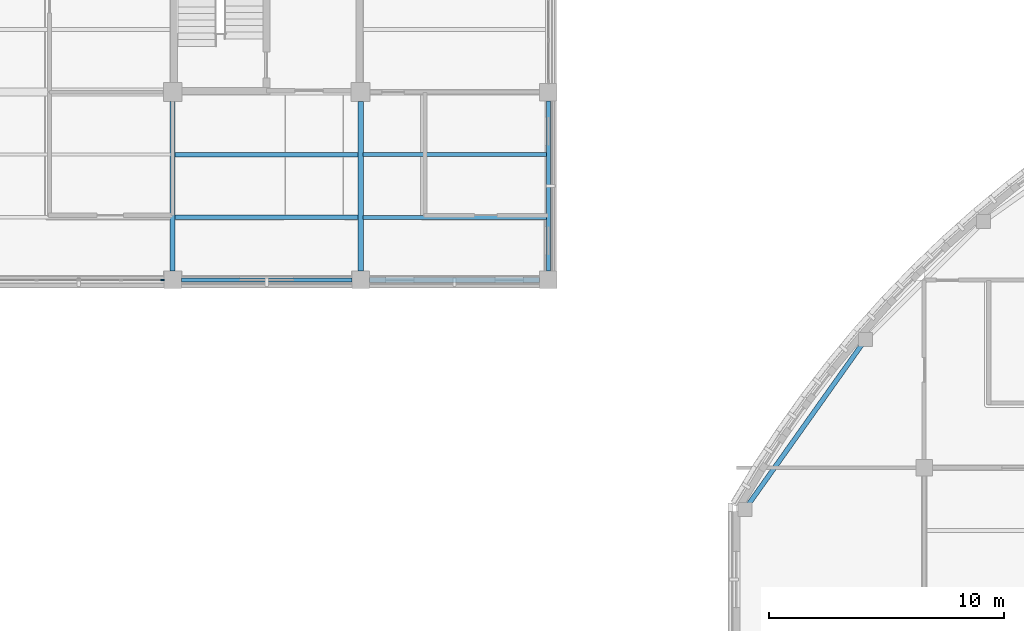
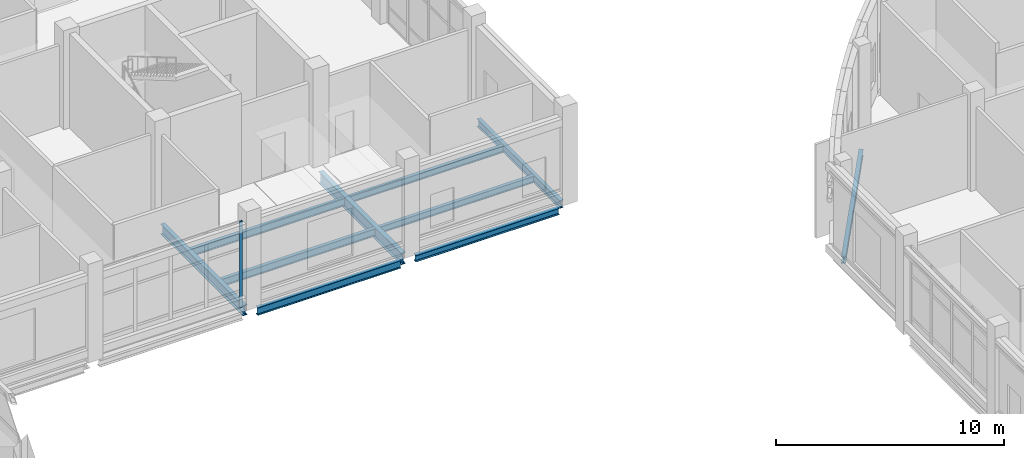
# One storey, part 27 of 105: 10 beams, 1 member, 1 element without a shape of its own.
"""IFC4 building model written with IfcOpenShell, lengths in metres."""

from ifc_helpers import new_model, si_unit, derived_unit, direction, frame, origin, origin_2d, place, context, subcontext, project, spatial, rectangle, i_section, extrude, material, layer, layer_set, material_profile, profile_set, type_object, element, aggregate, save


model = new_model("IFC4")

# Units and contexts
model_context = context("Model", 3, precision=1e-05, world=origin(), true_north=direction((0.0, 1.0)))
body_context = subcontext(model_context, "Body", "Model", "MODEL_VIEW")
ifc_project = project(units=[si_unit("LENGTHUNIT", "METRE"), si_unit("AREAUNIT", "SQUARE_METRE"), si_unit("VOLUMEUNIT", "CUBIC_METRE"), si_unit("PLANEANGLEUNIT", "RADIAN"), si_unit("MASSUNIT", "GRAM", prefix="KILO"), derived_unit("THERMALTRANSMITTANCEUNIT", [(si_unit("MASSUNIT", "GRAM", prefix="KILO"), 1), (si_unit("TIMEUNIT", "SECOND"), -3), (si_unit("THERMODYNAMICTEMPERATUREUNIT", "KELVIN"), -1)])], contexts=[model_context])

# Site, building, storey
site_placement = place(None, origin())
site = spatial("IfcSite", under=ifc_project, at=site_placement, CompositionType="ELEMENT")
building_placement = place(site_placement, origin())
building = spatial("IfcBuilding", under=site, at=building_placement, Name="Veyamyaing Civic Hall", CompositionType="ELEMENT")
storey_placement = place(building_placement, origin())
storey = spatial("IfcBuildingStorey", under=building, at=storey_placement, Name="L00", CompositionType="ELEMENT", Elevation=0.0)

# Beams
ifc_material_1 = material(Name="Steel ASTM A992", Category="steel")
ifc_material_profile_1 = material_profile(ifc_material_1, i_section(OverallWidth=0.22998046875, OverallDepth=0.616943359375, WebThickness=0.01318359375, FlangeThickness=0.022216796875, FilletRadius=0.012939453125, at=origin_2d()), Name="W610X140")
ifc_profile_set_1 = profile_set([ifc_material_profile_1], Name="Steel ASTM A992")
beam_type_1 = type_object("IfcBeamType", Name="B-05", PredefinedType="BEAM", material=ifc_profile_set_1)
beam_1_placement = place(storey_placement, frame((40.0, 88.375, -0.58349609375), z_axis=(0.0, 1.0, 0.0), x_axis=(-1.0, 0.0, 0.0)))
element("IfcBeam", 1, at=beam_1_placement, inside=storey, type_object=beam_type_1, Name="Girder B-05 L00 Grid 6 M-N", PredefinedType="BEAM", context=body_context, shape_type="SweptSolid", body=[
    extrude(i_section(OverallWidth=0.22998046875, OverallDepth=0.616943359375, WebThickness=0.01318359375, FlangeThickness=0.022216796875, FilletRadius=0.012939453125, at=origin_2d()), origin(), (0.0, 0.0, 1.0), 7.22509765625),
])
ifc_material_profile_2 = material_profile(ifc_material_1, i_section(OverallWidth=0.179931640625, OverallDepth=0.4130859375, WebThickness=0.009765625, FlangeThickness=0.01611328125, FilletRadius=0.010009765625, at=origin_2d()), Name="W410X74")
ifc_profile_set_2 = profile_set([ifc_material_profile_2], Name="Steel ASTM A992")
beam_type_2 = type_object("IfcBeamType", Name="B-10", PredefinedType="SPANDREL", material=ifc_profile_set_2)
beam_2_placement = place(storey_placement, frame((32.375, 88.0, -0.4814453125), z_axis=(1.0, 0.0, 0.0), x_axis=(0.0, 1.0, 0.0)))
element("IfcBeam", 2, at=beam_2_placement, inside=storey, type_object=beam_type_2, Name="Girder B-10 L00 Grid M 5-6", PredefinedType="SPANDREL", context=body_context, shape_type="SweptSolid", body=[
    extrude(i_section(OverallWidth=0.179931640625, OverallDepth=0.4130859375, WebThickness=0.009765625, FlangeThickness=0.01611328125, FilletRadius=0.010009765625, at=origin_2d()), origin(), (0.0, 0.0, 1.0), 7.25),
])
ifc_material_profile_3 = material_profile(ifc_material_1, i_section(OverallWidth=0.2041015625, OverallDepth=0.35009765625, WebThickness=0.0078125, FlangeThickness=0.01513671875, FilletRadius=0.010009765625, at=origin_2d()), Name="W360X72")
ifc_profile_set_3 = profile_set([ifc_material_profile_3], Name="Steel ASTM A992")
beam_type_3 = type_object("IfcBeamType", Name="B-11", PredefinedType="SPANDREL", material=ifc_profile_set_3)
beam_3_placement = place(storey_placement, frame((40.375, 88.0, -0.449951171875), z_axis=(1.0, 0.0, 0.0), x_axis=(0.0, 1.0, 0.0)))
element("IfcBeam", 3, at=beam_3_placement, inside=storey, type_object=beam_type_3, Name="Girder B-11 L00 Grid M 6-7", PredefinedType="SPANDREL", context=body_context, shape_type="SweptSolid", body=[
    extrude(i_section(OverallWidth=0.2041015625, OverallDepth=0.35009765625, WebThickness=0.0078125, FlangeThickness=0.01513671875, FilletRadius=0.010009765625, at=origin_2d()), origin(), (0.0, 0.0, 1.0), 7.25),
])
beam_4_placement = place(storey_placement, frame((61.331298828125, 85.221923828125, -0.449951171875), z_axis=(-0.578662285773, -0.815567262109, 0.0), x_axis=(0.815567262109, -0.578662285773, 0.0)))
element("IfcBeam", 4, at=beam_4_placement, inside=storey, type_object=beam_type_3, Name="Curved corner spandrel B-11 L00 NW.3", PredefinedType="SPANDREL", context=body_context, shape_type="SweptSolid", body=[
    extrude(i_section(OverallWidth=0.2041015625, OverallDepth=0.35009765625, WebThickness=0.0078125, FlangeThickness=0.01513671875, FilletRadius=0.010009765625, at=origin_2d()), origin(), (0.0, 0.0, 1.0), 8.284423828125),
])
ifc_material_profile_4 = material_profile(ifc_material_1, i_section(OverallWidth=0.214111328125, OverallDepth=0.549072265625, WebThickness=0.0146484375, FlangeThickness=0.023681640625, FilletRadius=0.011962890625, at=origin_2d()), Name="W530X138")
ifc_profile_set_4 = profile_set([ifc_material_profile_4], Name="Steel ASTM A992")
beam_type_4 = type_object("IfcBeamType", Name="B-16", PredefinedType="BEAM", material=ifc_profile_set_4)
beam_5_placement = place(storey_placement, frame((32.0, 88.375, -0.549560546875), z_axis=(0.0, 1.0, 0.0), x_axis=(-1.0, 0.0, 0.0)))
element("IfcBeam", 5, at=beam_5_placement, inside=storey, type_object=beam_type_4, Name="Girder B-16 L00 Grid 5 M-N", PredefinedType="BEAM", context=body_context, shape_type="SweptSolid", body=[
    extrude(i_section(OverallWidth=0.214111328125, OverallDepth=0.549072265625, WebThickness=0.0146484375, FlangeThickness=0.023681640625, FilletRadius=0.011962890625, at=origin_2d()), origin(), (0.0, 0.0, 1.0), 7.22509765625),
])
ifc_material_profile_5 = material_profile(ifc_material_1, i_section(OverallWidth=0.180908203125, OverallDepth=0.4169921875, WebThickness=0.010986328125, FlangeThickness=0.018310546875, FilletRadius=0.010009765625, at=origin_2d()), Name="W410X85")
ifc_profile_set_5 = profile_set([ifc_material_profile_5], Name="Steel ASTM A992")
beam_type_5 = type_object("IfcBeamType", Name="B-19", PredefinedType="SPANDREL", material=ifc_profile_set_5)
beam_6_placement = place(storey_placement, frame((48.0, 88.375, -0.4833984375), z_axis=(0.0, 1.0, 0.0), x_axis=(-1.0, 0.0, 0.0)))
element("IfcBeam", 6, at=beam_6_placement, inside=storey, type_object=beam_type_5, Name="Girder B-19 L00 Grid 7 M-N", PredefinedType="SPANDREL", context=body_context, shape_type="SweptSolid", body=[
    extrude(i_section(OverallWidth=0.180908203125, OverallDepth=0.4169921875, WebThickness=0.010986328125, FlangeThickness=0.018310546875, FilletRadius=0.010009765625, at=origin_2d()), origin(), (0.0, 0.0, 1.0), 7.25),
])

# Curtain wall, member
ifc_material_2 = material(Name="Anodised aluminium 6063-T6", Category="aluminium")
ifc_layer = layer(ifc_material_2, 0.159912109375, Name="Anodised aluminium 6063-T6")
ifc_layer_set = layer_set([ifc_layer], Name="Anodised aluminium 6063-T6")
curtain_wall_type = type_object("IfcCurtainWallType", Name="CW-01", PredefinedType="NOTDEFINED", material=ifc_layer_set)
curtain_wall_placement = place(storey_placement, origin())
curtain_wall = element("IfcCurtainWall", 7, at=curtain_wall_placement, inside=storey, type_object=curtain_wall_type, Name="Unitized curtain wall CW-01 L00 S 4.12", PredefinedType="NOTDEFINED")
ifc_material_profile_6 = material_profile(ifc_material_2, rectangle(XDim=0.06494140625, YDim=0.159912109375, at=origin_2d()), Name="ALU-MUL-65X160")
ifc_profile_set_6 = profile_set([ifc_material_profile_6], Name="Anodised aluminium 6063-T6")
member_type = type_object("IfcMemberType", Name="CWM-01", PredefinedType="MULLION", material=ifc_profile_set_6)
member_placement = place(storey_placement, frame((31.5625, 88.0, 0.0), z_axis=(0.0, 0.0, 1.0), x_axis=(0.0, 1.0, 0.0)))
member = element("IfcMember", 8, at=member_placement, type_object=member_type, Name="CW-01 mullion 5", PredefinedType="MULLION", context=body_context, shape_type="SweptSolid", body=[
    extrude(rectangle(XDim=0.06494140625, YDim=0.159912109375, at=origin_2d()), origin(), (0.0, 0.0, 1.0), 4.614013671875),
])
aggregate(curtain_wall, [member])

# Beams
ifc_material_profile_7 = material_profile(ifc_material_1, i_section(OverallWidth=0.177978515625, OverallDepth=0.406982421875, WebThickness=0.0078125, FlangeThickness=0.0126953125, FilletRadius=0.010009765625, at=origin_2d()), Name="W410X60")
ifc_profile_set_7 = profile_set([ifc_material_profile_7], Name="Steel ASTM A992")
beam_type_6 = type_object("IfcBeamType", Name="J-01", PredefinedType="JOIST", material=ifc_profile_set_7)
for number, where, z_axis, x_axis, name in (
    (9, (32.10498046875, 90.666748046875, -0.478515625), (1.0, 0.0, 0.0), (0.0, 1.0, 0.0), "Composite floor joist J-01 L00 5.12.1"),
    (10, (32.10498046875, 93.333251953125, -0.478515625), (1.0, 0.0, 0.0), (0.0, 1.0, 0.0), "Composite floor joist J-01 L00 5.12.2"),
):
    element("IfcBeam", number, at=place(storey_placement, frame(where, z_axis=z_axis, x_axis=x_axis)), inside=storey, type_object=beam_type_6, Name=name, PredefinedType="JOIST", context=body_context, shape_type="SweptSolid", body=[
        extrude(i_section(OverallWidth=0.177978515625, OverallDepth=0.406982421875, WebThickness=0.0078125, FlangeThickness=0.0126953125, FilletRadius=0.010009765625, at=origin_2d()), origin(), (0.0, 0.0, 1.0), 7.781982421875),
    ])
ifc_material_profile_8 = material_profile(ifc_material_1, i_section(OverallWidth=0.172119140625, OverallDepth=0.35791015625, WebThickness=0.0078125, FlangeThickness=0.01318359375, FilletRadius=0.010009765625, at=origin_2d()), Name="W360X57")
ifc_profile_set_8 = profile_set([ifc_material_profile_8], Name="Steel ASTM A992")
beam_type_7 = type_object("IfcBeamType", Name="J-02", PredefinedType="JOIST", material=ifc_profile_set_8)
for number, where, z_axis, x_axis, name in (
    (11, (40.113037109375, 90.666748046875, -0.4541015625), (1.0, 0.0, 0.0), (0.0, 1.0, 0.0), "Composite floor joist J-02 L00 6.12.1"),
    (12, (40.113037109375, 93.333251953125, -0.4541015625), (1.0, 0.0, 0.0), (0.0, 1.0, 0.0), "Composite floor joist J-02 L00 6.12.2"),
):
    element("IfcBeam", number, at=place(storey_placement, frame(where, z_axis=z_axis, x_axis=x_axis)), inside=storey, type_object=beam_type_7, Name=name, PredefinedType="JOIST", context=body_context, shape_type="SweptSolid", body=[
        extrude(i_section(OverallWidth=0.172119140625, OverallDepth=0.35791015625, WebThickness=0.0078125, FlangeThickness=0.01318359375, FilletRadius=0.010009765625, at=origin_2d()), origin(), (0.0, 0.0, 1.0), 7.798583984375),
    ])

save(model, "model.ifc")
